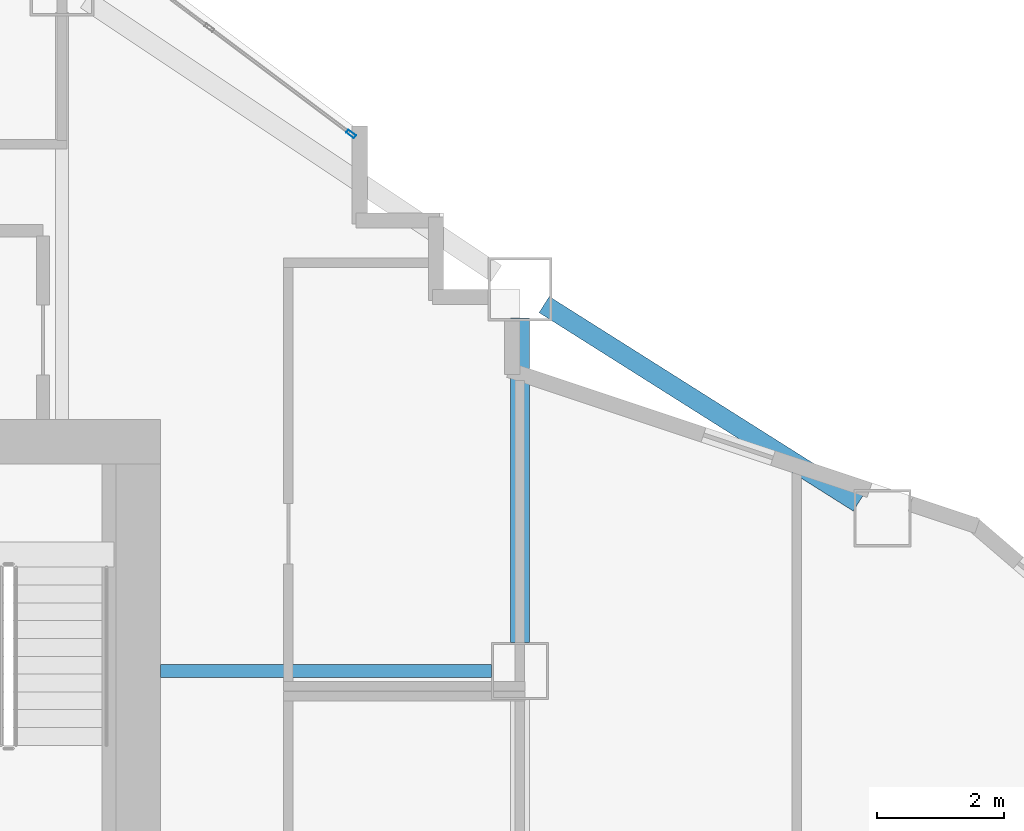
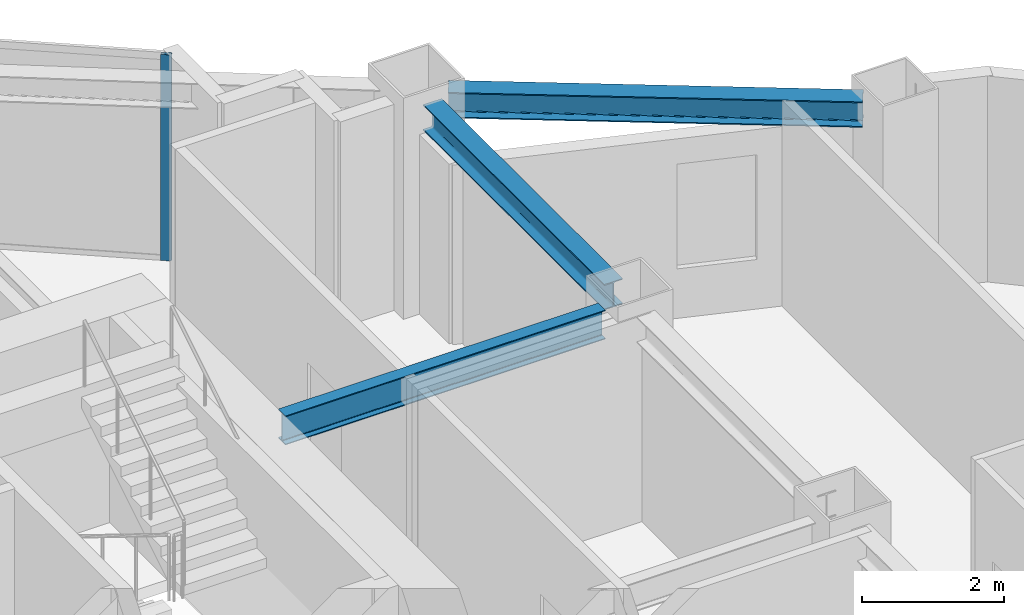
# One storey, part 5 of 14: 3 beams, 1 member, 1 element without a shape of its own.
"""IFC4 building model written with IfcOpenShell, lengths in metres."""

import ifcopenshell
import ifcopenshell.guid

model = None  # the IFC model being written
_history = None  # IfcOwnerHistory: only IFC2X3 demands one
_inside = {}  # id of a spatial element -> (the spatial element, [elements in it])
_under = {}  # id of a project, library or spatial element -> (it, [spatial elements below it])
_declared = {}  # id of a project -> (the project, [libraries it declares])
_typed = {}  # id of a type object -> (the type object, [elements of that type])
_made_of = {}  # id of a material, layer set ... -> (it, [elements and type objects made of it])


def new_model(schema):
    """Start an empty IFC model of exactly this schema.

    Asked for "IFC4X3", IfcOpenShell would pick the latest addendum, in which some entities
    have other attributes; the version numbers below select the first issue.
    IFC2X3 requires an IfcOwnerHistory on every rooted entity: one is made here for all.
    """
    global model, _history
    if schema == "IFC4X3":
        model = ifcopenshell.file(schema_version=(4, 3, 0, 0))
    else:
        model = ifcopenshell.file(schema=schema)
    _inside.clear()
    _under.clear()
    _declared.clear()
    _typed.clear()
    _made_of.clear()
    _history = None
    if model.schema == "IFC2X3":
        org = make("IfcOrganization", Name="unknown")
        user = make(
            "IfcPersonAndOrganization",
            ThePerson=make("IfcPerson", FamilyName="unknown"),
            TheOrganization=org,
        )
        app = make(
            "IfcApplication",
            ApplicationDeveloper=org,
            Version="unknown",
            ApplicationFullName="unknown",
            ApplicationIdentifier="unknown",
        )
        _history = make(
            "IfcOwnerHistory",
            OwningUser=user,
            OwningApplication=app,
            ChangeAction="ADDED",
            CreationDate=0,
        )
    return model


def make(cls, **values):
    """One entity of the class cls with the attributes given. An attribute that is None is left unset."""
    return model.create_entity(
        cls, **{name: value for name, value in values.items() if value is not None}
    )


def rooted(cls, **values):
    """An entity with a GlobalId (a new one), such as an element, a storey or a relation."""
    return make(cls, GlobalId=ifcopenshell.guid.new(), OwnerHistory=_history, **values)


def si_unit(unit_type, name, prefix=None):
    """IfcSIUnit, for example si_unit("LENGTHUNIT", "METRE", prefix="MILLI")."""
    return make("IfcSIUnit", UnitType=unit_type, Prefix=prefix, Name=name)


def assignment(units):
    """IfcUnitAssignment: the units of a project."""
    return None if units is None else make("IfcUnitAssignment", Units=units)


def point(xyz):
    """IfcCartesianPoint."""
    return None if xyz is None else make("IfcCartesianPoint", Coordinates=xyz)


def direction(xyz):
    """IfcDirection."""
    return None if xyz is None else make("IfcDirection", DirectionRatios=xyz)


def frame(location, z_axis=None, x_axis=None):
    """IfcAxis2Placement3D, a coordinate frame: its origin and axes. An axis left out is left unset."""
    return make(
        "IfcAxis2Placement3D",
        Location=point(location),
        Axis=direction(z_axis),
        RefDirection=direction(x_axis),
    )


def frame_2d(location, x_axis=None):
    """IfcAxis2Placement2D, a coordinate frame in the plane: its origin and x axis."""
    return make(
        "IfcAxis2Placement2D", Location=point(location), RefDirection=direction(x_axis)
    )


def origin():
    """The frame at (0, 0, 0) with its axes left unset."""
    return frame((0.0, 0.0, 0.0))


def origin_2d():
    """The frame at (0, 0) in the plane with its x axis left unset."""
    return frame_2d((0.0, 0.0))


def place(relative_to, where):
    """IfcLocalPlacement: puts the frame where relative to a parent placement (None: the world)."""
    return make(
        "IfcLocalPlacement", PlacementRelTo=relative_to, RelativePlacement=where
    )


def context(
    kind, dimensions, precision=None, world=None, true_north=None, identifier=None
):
    """IfcGeometricRepresentationContext, for example the 3D "Model" context."""
    return make(
        "IfcGeometricRepresentationContext",
        ContextIdentifier=identifier,
        ContextType=kind,
        CoordinateSpaceDimension=dimensions,
        Precision=precision,
        WorldCoordinateSystem=world,
        TrueNorth=true_north,
    )


def subcontext(parent, identifier, kind, view, scale=None):
    """IfcGeometricRepresentationSubContext, for example "Body" below "Model"."""
    return make(
        "IfcGeometricRepresentationSubContext",
        ContextIdentifier=identifier,
        ContextType=kind,
        ParentContext=parent,
        TargetScale=scale,
        TargetView=view,
    )


def project(units=None, contexts=None):
    """IfcProject with its units and contexts."""
    return rooted(
        "IfcProject",
        Name="project",
        RepresentationContexts=contexts,
        UnitsInContext=assignment(units),
    )


def spatial(cls, under=None, at=None, **own):
    """A site, building, storey or space (cls), placed at a placement, below another one or the project."""
    s = rooted(cls, ObjectPlacement=at, **own)
    if under is not None:
        _under.setdefault(under.id(), (under, []))[1].append(s)
    return s


def profile(cls, at=None, kind="AREA", **sizes):
    """A parametric profile (cls). Its sizes go by their IFC names, for example OverallWidth=200.0."""
    return make(cls, ProfileType=kind, Position=at, **sizes)


def hollow_rectangle(**sizes):
    """IfcRectangleHollowProfileDef."""
    return profile("IfcRectangleHollowProfileDef", **sizes)


def i_section(**sizes):
    """IfcIShapeProfileDef."""
    return profile("IfcIShapeProfileDef", **sizes)


def extrude(swept, where, along, depth):
    """IfcExtrudedAreaSolid: the profile swept, set in the frame where, extruded along a direction by depth."""
    return make(
        "IfcExtrudedAreaSolid",
        SweptArea=swept,
        Position=where,
        ExtrudedDirection=direction(along),
        Depth=depth,
    )


def shape(context_of_items, identifier, shape_type, items):
    """IfcShapeRepresentation: the items that make up one representation, for example the "Body"."""
    return make(
        "IfcShapeRepresentation",
        ContextOfItems=context_of_items,
        RepresentationIdentifier=identifier,
        RepresentationType=shape_type,
        Items=items,
    )


def material(Name=None, Category=None):
    """IfcMaterial."""
    return make("IfcMaterial", Name=Name, Category=Category)


def layer(
    of_material, thickness, ventilated=None, Name=None, Category=None, Priority=None
):
    """IfcMaterialLayer: one layer of a wall or slab, of a material (None: an air gap)."""
    return make(
        "IfcMaterialLayer",
        Material=of_material,
        LayerThickness=thickness,
        IsVentilated=ventilated,
        Name=Name,
        Category=Category,
        Priority=Priority,
    )


def layer_set(layers, Name=None):
    """IfcMaterialLayerSet."""
    return make("IfcMaterialLayerSet", MaterialLayers=layers, LayerSetName=Name)


def material_profile(
    of_material, cross_section, Name=None, Category=None, Priority=None
):
    """IfcMaterialProfile: a cross section and its material."""
    return make(
        "IfcMaterialProfile",
        Name=Name,
        Material=of_material,
        Profile=cross_section,
        Priority=Priority,
        Category=Category,
    )


def profile_set(profiles, Name=None, composite=None):
    """IfcMaterialProfileSet."""
    return make(
        "IfcMaterialProfileSet",
        Name=Name,
        MaterialProfiles=profiles,
        CompositeProfile=composite,
    )


def made_of(thing, what):
    """Note that an element or type object is made of a material, layer set ...; save() writes the relation."""
    if what is not None:
        _made_of.setdefault(what.id(), (what, []))[1].append(thing)
    return thing


def type_object(cls, material=None, **own):
    """A type object (cls), such as IfcWallType, which elements share."""
    return made_of(rooted(cls, **own), material)


def element(
    cls,
    number,
    at=None,
    inside=None,
    cuts=None,
    type_object=None,
    material=None,
    context=None,
    identifier="Body",
    shape_type=None,
    held_by="IfcProductDefinitionShape",
    body=None,
    shapes=None,
    **own,
):
    """One element of the class cls, such as IfcWall. Its Tag is "e" and its number.

    at: its placement. inside: the storey or other place that contains it. cuts: it is an
    opening in that element (IfcRelVoidsElement). A single representation is given by context,
    identifier, shape_type and body (its items); several are given by shapes. held_by: the class
    of the entity that holds the representations. save() writes the other relations.
    """
    e = rooted(cls, Tag="e%d" % number, ObjectPlacement=at, **own)
    if body is not None:
        shapes = [shape(context, identifier, shape_type, body)]
    if shapes is not None:
        e.Representation = make(held_by, Representations=shapes)
    if inside is not None:
        _inside.setdefault(inside.id(), (inside, []))[1].append(e)
    if cuts is not None:
        rooted(
            "IfcRelVoidsElement", RelatingBuildingElement=cuts, RelatedOpeningElement=e
        )
    if type_object is not None:
        _typed.setdefault(type_object.id(), (type_object, []))[1].append(e)
    return made_of(e, material)


def aggregate(whole, parts):
    """IfcRelAggregates: a whole, such as a stair, and the parts it consists of."""
    return rooted("IfcRelAggregates", RelatingObject=whole, RelatedObjects=parts)


def save(model, path):
    """Write the relations noted so far, then the file.

    IfcRelAggregates (storeys below a building ...), IfcRelContainedInSpatialStructure (elements
    in a storey), IfcRelDefinesByType, IfcRelAssociatesMaterial and IfcRelDeclares: one each for
    every whole, place, type object, material and project.
    """
    for whole, parts in _under.values():
        aggregate(whole, parts)
    for where, things in _inside.values():
        rooted(
            "IfcRelContainedInSpatialStructure",
            RelatedElements=things,
            RelatingStructure=where,
        )
    for kind, things in _typed.values():
        rooted("IfcRelDefinesByType", RelatedObjects=things, RelatingType=kind)
    for what, things in _made_of.values():
        rooted("IfcRelAssociatesMaterial", RelatedObjects=things, RelatingMaterial=what)
    for by, libraries in _declared.values():
        rooted("IfcRelDeclares", RelatingContext=by, RelatedDefinitions=libraries)
    model.write(path)


model = new_model("IFC4")

# Units and contexts
model_context = context("Model", 3, precision=1e-05, world=origin(), true_north=direction((0.0, 1.0)))
body_context = subcontext(model_context, "Body", "Model", "MODEL_VIEW")
ifc_project = project(units=[si_unit("LENGTHUNIT", "METRE"), si_unit("AREAUNIT", "SQUARE_METRE"), si_unit("VOLUMEUNIT", "CUBIC_METRE"), si_unit("PLANEANGLEUNIT", "RADIAN"), si_unit("MASSUNIT", "GRAM", prefix="KILO")], contexts=[model_context])

# Site, building, storey
site_placement = place(None, origin())
site = spatial("IfcSite", under=ifc_project, at=site_placement, CompositionType="ELEMENT")
building_placement = place(site_placement, origin())
building = spatial("IfcBuilding", under=site, at=building_placement, Name="Haolan Belvedere Tower", CompositionType="ELEMENT")
storey_placement = place(building_placement, frame((0.0, 0.0, 132.60009765625)))
storey = spatial("IfcBuildingStorey", under=building, at=storey_placement, Name="L33", CompositionType="ELEMENT", Elevation=132.60009765625)

# Beams
ifc_material_1 = material(Name="Steel Q355B", Category="steel")
ifc_material_profile_1 = material_profile(ifc_material_1, i_section(OverallWidth=0.300048828125, OverallDepth=0.43994140625, WebThickness=0.010986328125, FlangeThickness=0.01806640625, FilletRadius=0.02392578125, at=origin_2d()), Name="Steel Q355B")
ifc_profile_set_1 = profile_set([ifc_material_profile_1], Name="Steel Q355B")
beam_type_1 = type_object("IfcBeamType", Name="BM-HM440x300x11x18", PredefinedType="SPANDREL", material=ifc_profile_set_1)
beam_1_placement = place(storey_placement, frame((52.800048828125, 40.050048828125, 3.31982421875), z_axis=(0.0, 1.0, 0.0), x_axis=(-1.0, 0.0, 0.0)))
element("IfcBeam", 1, at=beam_1_placement, inside=storey, type_object=beam_type_1, Name="L33 spandrel girder TC-T3-E2-MC-T3-NE", PredefinedType="SPANDREL", context=body_context, shape_type="SweptSolid", body=[
    extrude(i_section(OverallWidth=0.300048828125, OverallDepth=0.43994140625, WebThickness=0.010986328125, FlangeThickness=0.01806640625, FilletRadius=0.02392578125, at=origin_2d()), origin(), (0.0, 0.0, 1.0), 5.099853515625),
])
beam_2_placement = place(storey_placement, frame((53.180419921875, 45.359619140625, 3.31982421875), z_axis=(0.845497840649, -0.533978839898, 0.0), x_axis=(0.533978839898, 0.845497840649, 0.0)))
element("IfcBeam", 2, at=beam_2_placement, inside=storey, type_object=beam_type_1, Name="L33 spandrel girder MC-T3-NE-TC-T4-N1", PredefinedType="SPANDREL", context=body_context, shape_type="SweptSolid", body=[
    extrude(i_section(OverallWidth=0.300048828125, OverallDepth=0.43994140625, WebThickness=0.010986328125, FlangeThickness=0.01806640625, FilletRadius=0.02392578125, at=origin_2d()), origin(), (0.0, 0.0, 1.0), 5.841796875),
])
ifc_material_profile_2 = material_profile(ifc_material_1, i_section(OverallWidth=0.199951171875, OverallDepth=0.5, WebThickness=0.010009765625, FlangeThickness=0.01611328125, FilletRadius=0.02001953125, at=origin_2d()), Name="Steel Q355B")
ifc_profile_set_2 = profile_set([ifc_material_profile_2], Name="Steel Q355B")
beam_type_2 = type_object("IfcBeamType", Name="BM-HN500x200x10x16", PredefinedType="BEAM", material=ifc_profile_set_2)
beam_3_placement = place(storey_placement, frame((52.35009765625, 39.60009765625, 3.289794921875), z_axis=(-1.0, 0.0, 0.0), x_axis=(0.0, -1.0, 0.0)))
element("IfcBeam", 3, at=beam_3_placement, inside=storey, type_object=beam_type_2, Name="L33 core tie beam from TC-T3-E2", PredefinedType="BEAM", context=body_context, shape_type="SweptSolid", body=[
    extrude(i_section(OverallWidth=0.199951171875, OverallDepth=0.5, WebThickness=0.010009765625, FlangeThickness=0.01611328125, FilletRadius=0.02001953125, at=origin_2d()), origin(), (0.0, 0.0, 1.0), 5.2001953125),
])

# Curtain wall, member
ifc_material_2 = material(Name="Anodised champagne-silver aluminium 6063-T6 and Low-E glass", Category="aluminium")
ifc_layer = layer(ifc_material_2, 0.155029296875, Name="Anodised champagne-silver aluminium 6063-T6 and Low-E glass")
ifc_layer_set = layer_set([ifc_layer], Name="Anodised champagne-silver aluminium 6063-T6 and Low-E glass")
curtain_wall_type = type_object("IfcCurtainWallType", Name="CW-SYS-03", PredefinedType="NOTDEFINED", material=ifc_layer_set)
curtain_wall_placement = place(storey_placement, origin())
curtain_wall = element("IfcCurtainWall", 4, at=curtain_wall_placement, inside=storey, type_object=curtain_wall_type, Name="L33 CW-SYS-03 ribbon curtain wall 26.1", PredefinedType="NOTDEFINED")
ifc_material_3 = material(Name="Anodised aluminium 6063-T6", Category="aluminium")
ifc_material_profile_3 = material_profile(ifc_material_3, hollow_rectangle(XDim=0.05810546875, YDim=0.155029296875, WallThickness=0.00390625, at=origin_2d()), Name="Anodised aluminium 6063-T6")
ifc_profile_set_3 = profile_set([ifc_material_profile_3], Name="Anodised aluminium 6063-T6")
member_type = type_object("IfcMemberType", Name="CW-SYS-03-MUL", PredefinedType="MULLION", material=ifc_profile_set_3)
member_placement = place(storey_placement, frame((50.144775390625, 48.04150390625, 0.0), z_axis=(0.0, 0.0, 1.0), x_axis=(-0.599994316874, -0.800004262313, 0.0)))
member = element("IfcMember", 5, at=member_placement, type_object=member_type, Name="CW-03 mullion 1", PredefinedType="MULLION", context=body_context, shape_type="SweptSolid", body=[
    extrude(hollow_rectangle(XDim=0.05810546875, YDim=0.155029296875, WallThickness=0.00390625, at=origin_2d()), origin(), (0.0, 0.0, 1.0), 3.539794921875),
])
aggregate(curtain_wall, [member])

save(model, "model.ifc")
